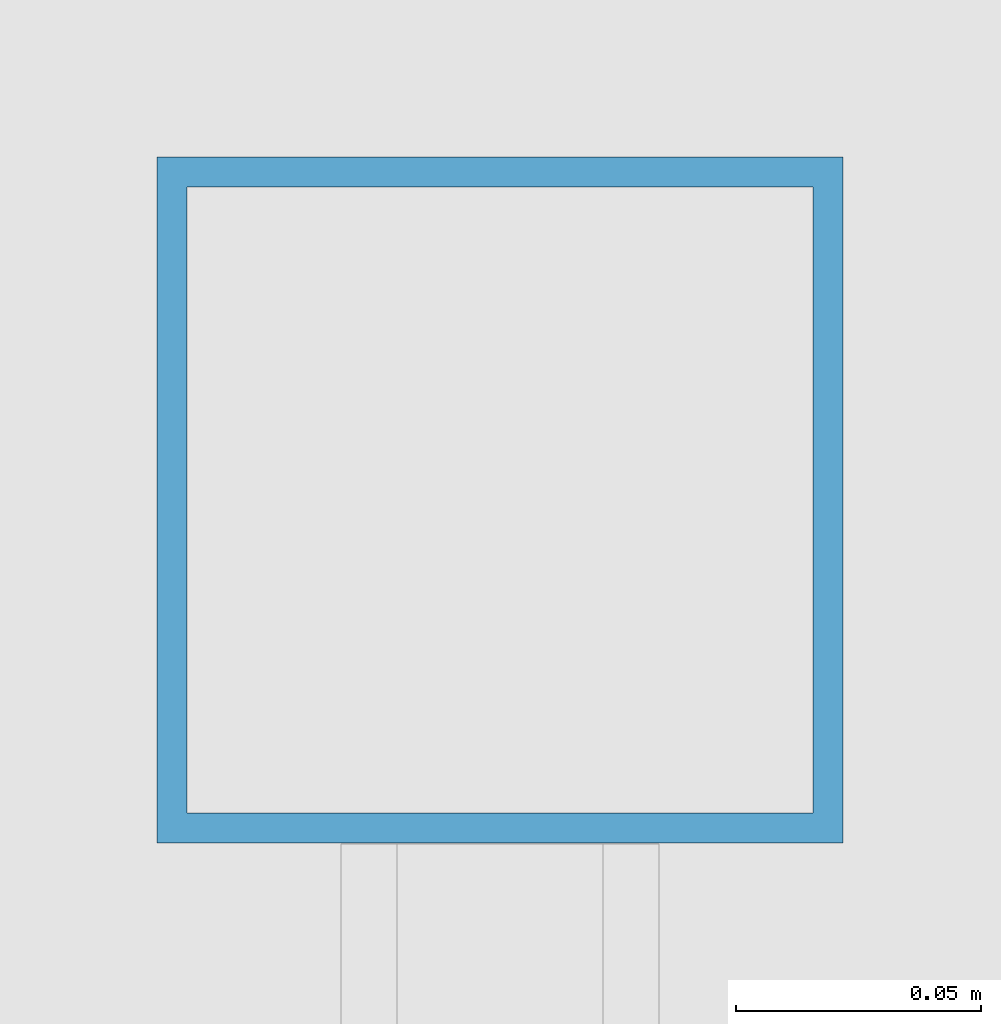
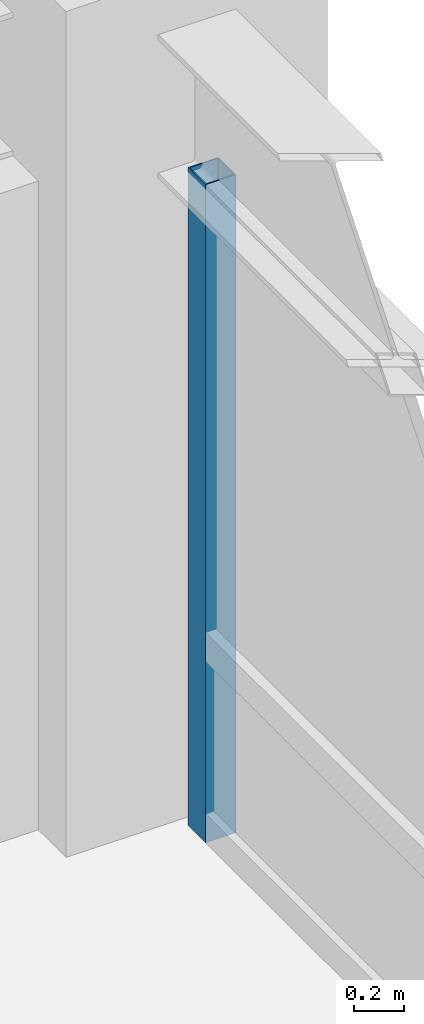
# One storey, part 16 of 32: 1 member, 1 element without a shape of its own.
"""IFC4 building model written with IfcOpenShell, lengths in metres."""

from ifc_helpers import new_model, si_unit, direction, frame, origin, origin_2d, place, context, subcontext, project, spatial, hollow_rectangle, extrude, source, transform, mapped, material, material_profile, profile_set, type_object, element, aggregate, save


model = new_model("IFC4")

# Units and contexts
model_context = context("Model", 3, precision=1e-05, world=origin(), true_north=direction((0.0, 1.0)))
body_context = subcontext(model_context, "Body", "Model", "MODEL_VIEW")
ifc_project = project(units=[si_unit("LENGTHUNIT", "METRE"), si_unit("AREAUNIT", "SQUARE_METRE"), si_unit("VOLUMEUNIT", "CUBIC_METRE"), si_unit("PLANEANGLEUNIT", "RADIAN"), si_unit("MASSUNIT", "GRAM", prefix="KILO")], contexts=[model_context])

# Site, building, storey
site_placement = place(None, origin())
site = spatial("IfcSite", under=ifc_project, at=site_placement, CompositionType="ELEMENT")
building_placement = place(site_placement, origin())
building = spatial("IfcBuilding", under=site, at=building_placement, Name="Khorayat Bourse Tower", CompositionType="ELEMENT")
storey_placement = place(building_placement, frame((0.0, 0.0, 132.39990234375)))
storey = spatial("IfcBuildingStorey", under=building, at=storey_placement, Name="L30", CompositionType="ELEMENT", Elevation=132.39990234375)

# Curtain wall, member
ifc_material = material(Name="Aluminium EN AW-6063 T6", Category="aluminium")
curtain_wall_type = type_object("IfcCurtainWallType", Name="CW-SYS-02", PredefinedType="NOTDEFINED", material=ifc_material)
curtain_wall_placement = place(storey_placement, origin())
curtain_wall = element("IfcCurtainWall", 1, at=curtain_wall_placement, inside=storey, type_object=curtain_wall_type, Name="L30 Curtain Wall CW-L30-E1", PredefinedType="NOTDEFINED")
ifc_material_profile = material_profile(ifc_material, hollow_rectangle(XDim=0.139892578125, YDim=0.139892578125, WallThickness=0.006103515625, at=origin_2d()), Name="ALU 140x140x6")
ifc_profile_set = profile_set([ifc_material_profile], Name="Aluminium EN AW-6063 T6")
member_type = type_object("IfcMemberType", Name="CWM-VERT-140", PredefinedType="MULLION", material=ifc_profile_set)
shared_shape = source(origin(), body_context, "Body", "SweptSolid", [
    extrude(hollow_rectangle(XDim=0.139892578125, YDim=0.139892578125, WallThickness=0.006103515625, at=origin_2d()), origin(), (0.0, 0.0, 1.0), 3.190185546875),
])
member_placement = place(storey_placement, frame((32.0, 27.280029296875, 0.0), z_axis=(0.0, 0.0, 1.0), x_axis=(-1.0, 0.0, 0.0)))
member = element("IfcMember", 2, at=member_placement, type_object=member_type, Name="CW-L30-E1 Vertical Mullion 3", PredefinedType="MULLION", context=body_context, shape_type="MappedRepresentation", body=[
    mapped(shared_shape, transform((0.0, 0.0, 0.0), scale=1.0)),
])
aggregate(curtain_wall, [member])

save(model, "model.ifc")
